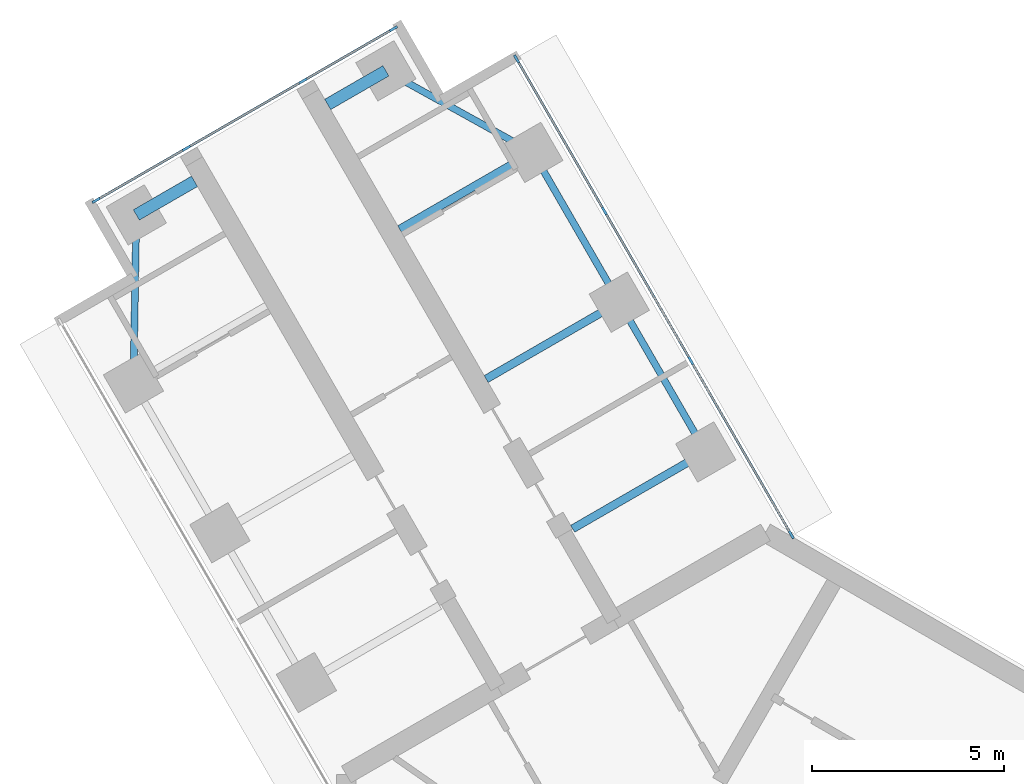
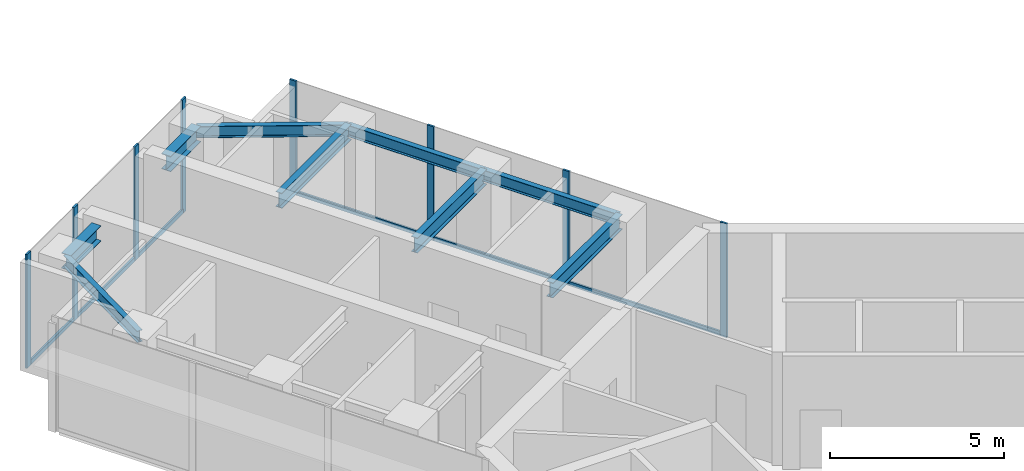
# One storey, part 6 of 17: 14 members, 9 beams, 2 elements without a shape of their own.
"""IFC4 building model written with IfcOpenShell, lengths in metres."""

from ifc_helpers import new_model, si_unit, direction, frame, origin, origin_2d, place, context, subcontext, project, spatial, rectangle, i_section, extrude, material, material_profile, profile_set, type_object, element, aggregate, save


model = new_model("IFC4")

# Units and contexts
model_context = context("Model", 3, precision=1e-05, world=origin(), true_north=direction((0.0, 1.0)))
body_context = subcontext(model_context, "Body", "Model", "MODEL_VIEW")
ifc_project = project(units=[si_unit("LENGTHUNIT", "METRE"), si_unit("AREAUNIT", "SQUARE_METRE"), si_unit("VOLUMEUNIT", "CUBIC_METRE"), si_unit("PLANEANGLEUNIT", "RADIAN"), si_unit("MASSUNIT", "GRAM", prefix="KILO")], contexts=[model_context])

# Site, building, storey
site_placement = place(None, origin())
site = spatial("IfcSite", under=ifc_project, at=site_placement, CompositionType="ELEMENT")
building_placement = place(site_placement, origin())
building = spatial("IfcBuilding", under=site, at=building_placement, Name="Upepo Twin Towers", CompositionType="ELEMENT")
storey_placement = place(building_placement, frame((0.0, 0.0, 214.5)))
storey = spatial("IfcBuildingStorey", under=building, at=storey_placement, Name="L52", CompositionType="ELEMENT", Elevation=214.5)

# Beams
ifc_material_1 = material(Name="Steel S355", Category="steel")
ifc_material_profile_1 = material_profile(ifc_material_1, i_section(OverallWidth=0.177978515625, OverallDepth=0.406494140625, WebThickness=0.0078125, FlangeThickness=0.0126953125, FilletRadius=0.01025390625, at=origin_2d()), Name="UB 406x178x60")
ifc_profile_set_1 = profile_set([ifc_material_profile_1], Name="Steel S355")
beam_type_1 = type_object("IfcBeamType", Name="Beam UB 406x178x60", PredefinedType="BEAM", material=ifc_profile_set_1)
beam_1_placement = place(storey_placement, frame((-16.446044921875, 16.485595703125, 3.5966796875), z_axis=(0.016803880528, 0.999858804832, 0.0), x_axis=(-0.999858804832, 0.016803880528, 0.0)))
element("IfcBeam", 1, at=beam_1_placement, inside=storey, type_object=beam_type_1, Name="T1 nose edge beam BL", PredefinedType="BEAM", context=body_context, shape_type="SweptSolid", body=[
    extrude(i_section(OverallWidth=0.177978515625, OverallDepth=0.406494140625, WebThickness=0.0078125, FlangeThickness=0.0126953125, FilletRadius=0.01025390625, at=origin_2d()), origin(), (0.0, 0.0, 1.0), 4.373291015625),
])
beam_2_placement = place(storey_placement, frame((-1.553955078125, 14.69140625, 3.5966796875), z_axis=(-0.500013631625, 0.866017533419, 0.0), x_axis=(-0.866017533419, -0.500013631625, 0.0)))
element("IfcBeam", 2, at=beam_2_placement, inside=storey, type_object=beam_type_1, Name="T1 edge beam BR 13.5-18.0", PredefinedType="BEAM", context=body_context, shape_type="SweptSolid", body=[
    extrude(i_section(OverallWidth=0.177978515625, OverallDepth=0.406494140625, WebThickness=0.0078125, FlangeThickness=0.0126953125, FilletRadius=0.01025390625, at=origin_2d()), origin(), (0.0, 0.0, 1.0), 4.499755859375),
])
beam_3_placement = place(storey_placement, frame((-3.803955078125, 18.58837890625, 3.5966796875), z_axis=(-0.499990139034, 0.866031096941, 0.0), x_axis=(-0.866031096941, -0.499990139034, 0.0)))
element("IfcBeam", 3, at=beam_3_placement, inside=storey, type_object=beam_type_1, Name="T1 edge beam BR 18.0-22.5", PredefinedType="BEAM", context=body_context, shape_type="SweptSolid", body=[
    extrude(i_section(OverallWidth=0.177978515625, OverallDepth=0.406494140625, WebThickness=0.0078125, FlangeThickness=0.0126953125, FilletRadius=0.01025390625, at=origin_2d()), origin(), (0.0, 0.0, 1.0), 4.5),
])
beam_4_placement = place(storey_placement, frame((-6.053955078125, 22.485595703125, 3.5966796875), z_axis=(-0.874312600038, 0.485363242752, 0.0), x_axis=(-0.485363242752, -0.874312600038, 0.0)))
element("IfcBeam", 4, at=beam_4_placement, inside=storey, type_object=beam_type_1, Name="T1 nose edge beam BR", PredefinedType="BEAM", context=body_context, shape_type="SweptSolid", body=[
    extrude(i_section(OverallWidth=0.177978515625, OverallDepth=0.406494140625, WebThickness=0.0078125, FlangeThickness=0.0126953125, FilletRadius=0.01025390625, at=origin_2d()), origin(), (0.0, 0.0, 1.0), 4.373046875),
])
ifc_material_2 = material(Name="Steel S355", Category="steel")
ifc_material_profile_2 = material_profile(ifc_material_2, i_section(OverallWidth=0.209228515625, OverallDepth=0.533203125, WebThickness=0.010009765625, FlangeThickness=0.015625, FilletRadius=0.0126953125, at=origin_2d()), Name="UB 533x210x92")
ifc_profile_set_2 = profile_set([ifc_material_profile_2], Name="Steel S355")
beam_type_2 = type_object("IfcBeamType", Name="Beam UB 533x210x92", PredefinedType="BEAM", material=ifc_profile_set_2)
for number, where, z_axis, x_axis, name in (
    (5, (-1.553955078125, 14.69140625, 3.533447265625), (-0.866026010844, -0.49999894854, 0.0), (0.49999894854, -0.866026010844, 0.0), "T1 girder BR at 13.5"),
    (6, (-3.803955078125, 18.58837890625, 3.533447265625), (-0.866026010844, -0.49999894854, 0.0), (0.49999894854, -0.866026010844, 0.0), "T1 girder BR at 18.0"),
    (7, (-6.053955078125, 22.485595703125, 3.533447265625), (-0.866026010844, -0.49999894854, 0.0), (0.49999894854, -0.866026010844, 0.0), "T1 girder BR at 22.5"),
):
    element("IfcBeam", number, at=place(storey_placement, frame(where, z_axis=z_axis, x_axis=x_axis)), inside=storey, type_object=beam_type_2, Name=name, PredefinedType="BEAM", context=body_context, shape_type="SweptSolid", body=[
        extrude(i_section(OverallWidth=0.209228515625, OverallDepth=0.533203125, WebThickness=0.010009765625, FlangeThickness=0.015625, FilletRadius=0.0126953125, at=origin_2d()), origin(), (0.0, 0.0, 1.0), 4.0),
    ])
ifc_material_3 = material(Name="Steel S355", Category="steel")
ifc_material_profile_3 = material_profile(ifc_material_3, i_section(OverallWidth=0.31201171875, OverallDepth=0.54345703125, WebThickness=0.0126953125, FlangeThickness=0.020263671875, FilletRadius=0.0126953125, at=origin_2d()), Name="UB 533x312x150")
ifc_profile_set_3 = profile_set([ifc_material_profile_3], Name="Steel S355")
beam_type_3 = type_object("IfcBeamType", Name="Beam UB 533x312x150", PredefinedType="BEAM", material=ifc_profile_set_3)
for number, where, z_axis, x_axis, name in (
    (8, (-16.37255859375, 20.858154296875, 3.5283203125), (0.866036909293, 0.499980071345, 0.0), (-0.499980071345, 0.866036909293, 0.0), "T1 nose beam BL"),
    (9, (-9.87744140625, 24.608154296875, 3.5283203125), (-0.866036909293, -0.499980071345, 0.0), (0.499980071345, -0.866036909293, 0.0), "T1 nose beam BR"),
):
    element("IfcBeam", number, at=place(storey_placement, frame(where, z_axis=z_axis, x_axis=x_axis)), inside=storey, type_object=beam_type_3, Name=name, PredefinedType="BEAM", context=body_context, shape_type="SweptSolid", body=[
        extrude(i_section(OverallWidth=0.31201171875, OverallDepth=0.54345703125, WebThickness=0.0126953125, FlangeThickness=0.020263671875, FilletRadius=0.0126953125, at=origin_2d()), origin(), (0.0, 0.0, 1.0), 1.75),
    ])

# Curtain wall, members
ifc_material_4 = material(Name="Aluminium and fritted glass", Category="aluminium")
curtain_wall_type = type_object("IfcCurtainWallType", Name="Tower curtain wall TW3, fritted glass", PredefinedType="NOTDEFINED", material=ifc_material_4)
curtain_wall_1_placement = place(storey_placement, origin())
curtain_wall_1 = element("IfcCurtainWall", 10, at=curtain_wall_1_placement, inside=storey, type_object=curtain_wall_type, Name="T1 L52 wing B flank R curtain wall", PredefinedType="NOTDEFINED")
ifc_material_5 = material(Name="Aluminium mullion", Category="aluminium")
ifc_material_profile_4 = material_profile(ifc_material_5, rectangle(XDim=0.06494140625, YDim=0.22509765625, at=origin_2d()), Name="MULLION 65x225")
ifc_profile_set_4 = profile_set([ifc_material_profile_4], Name="Aluminium mullion")
member_type_1 = type_object("IfcMemberType", Name="Mullion 65x225 TW3", PredefinedType="MULLION", material=ifc_profile_set_4)
member_1_placement = place(storey_placement, frame((-6.4765625, 24.91748046875, 0.0), z_axis=(0.0, 0.0, 1.0), x_axis=(0.866025388469, 0.500000026527, 0.0)))
member_1 = element("IfcMember", 11, at=member_1_placement, type_object=member_type_1, Name="T1 L52 wing B flank R curtain wall mullion 1", PredefinedType="MULLION", context=body_context, shape_type="SweptSolid", body=[
    extrude(rectangle(XDim=0.06494140625, YDim=0.22509765625, at=origin_2d()), origin(), (0.0, 0.0, 1.0), 4.0),
])
member_2_placement = place(storey_placement, frame((-4.192626953125, 20.9619140625, 0.0), z_axis=(0.0, 0.0, 1.0), x_axis=(0.866025388469, 0.500000026527, 0.0)))
member_2 = element("IfcMember", 12, at=member_2_placement, type_object=member_type_1, Name="T1 L52 wing B flank R curtain wall mullion 2", PredefinedType="MULLION", context=body_context, shape_type="SweptSolid", body=[
    extrude(rectangle(XDim=0.06494140625, YDim=0.22509765625, at=origin_2d()), origin(), (0.0, 0.0, 1.0), 4.0),
])
member_3_placement = place(storey_placement, frame((-1.942626953125, 17.06494140625, 0.0), z_axis=(0.0, 0.0, 1.0), x_axis=(0.866025388469, 0.500000026527, 0.0)))
member_3 = element("IfcMember", 13, at=member_3_placement, type_object=member_type_1, Name="T1 L52 wing B flank R curtain wall mullion 3", PredefinedType="MULLION", context=body_context, shape_type="SweptSolid", body=[
    extrude(rectangle(XDim=0.06494140625, YDim=0.22509765625, at=origin_2d()), origin(), (0.0, 0.0, 1.0), 4.0),
])
member_4_placement = place(storey_placement, frame((0.67236328125, 12.53515625, 0.0), z_axis=(0.0, 0.0, 1.0), x_axis=(0.866025388469, 0.500000026527, 0.0)))
member_4 = element("IfcMember", 14, at=member_4_placement, type_object=member_type_1, Name="T1 L52 wing B flank R curtain wall mullion 4", PredefinedType="MULLION", context=body_context, shape_type="SweptSolid", body=[
    extrude(rectangle(XDim=0.06494140625, YDim=0.22509765625, at=origin_2d()), origin(), (0.0, 0.0, 1.0), 4.0),
])

curtain_wall_2_placement = place(storey_placement, origin())
curtain_wall_2 = element("IfcCurtainWall", 15, at=curtain_wall_2_placement, inside=storey, type_object=curtain_wall_type, Name="T1 L52 wing B nose curtain wall", PredefinedType="NOTDEFINED")
member_5_placement = place(storey_placement, frame((-9.68115234375, 25.703125, 0.0), z_axis=(0.0, 0.0, 1.0), x_axis=(0.500000030502, -0.866025386174, 0.0)))
member_5 = element("IfcMember", 16, at=member_5_placement, type_object=member_type_1, Name="T1 L52 wing B nose curtain wall mullion 1", PredefinedType="MULLION", context=body_context, shape_type="SweptSolid", body=[
    extrude(rectangle(XDim=0.06494140625, YDim=0.22509765625, at=origin_2d()), origin(), (0.0, 0.0, 1.0), 4.0),
])
member_6_placement = place(storey_placement, frame((-12.034423828125, 24.34423828125, 0.0), z_axis=(0.0, 0.0, 1.0), x_axis=(0.500000030502, -0.866025386174, 0.0)))
member_6 = element("IfcMember", 17, at=member_6_placement, type_object=member_type_1, Name="T1 L52 wing B nose curtain wall mullion 2", PredefinedType="MULLION", context=body_context, shape_type="SweptSolid", body=[
    extrude(rectangle(XDim=0.06494140625, YDim=0.22509765625, at=origin_2d()), origin(), (0.0, 0.0, 1.0), 4.0),
])
member_7_placement = place(storey_placement, frame((-15.0654296875, 22.59423828125, 0.0), z_axis=(0.0, 0.0, 1.0), x_axis=(0.500000030502, -0.866025386174, 0.0)))
member_7 = element("IfcMember", 18, at=member_7_placement, type_object=member_type_1, Name="T1 L52 wing B nose curtain wall mullion 3", PredefinedType="MULLION", context=body_context, shape_type="SweptSolid", body=[
    extrude(rectangle(XDim=0.06494140625, YDim=0.22509765625, at=origin_2d()), origin(), (0.0, 0.0, 1.0), 4.0),
])
member_8_placement = place(storey_placement, frame((-17.4189453125, 21.235595703125, 0.0), z_axis=(0.0, 0.0, 1.0), x_axis=(0.500000030502, -0.866025386174, 0.0)))
member_8 = element("IfcMember", 19, at=member_8_placement, type_object=member_type_1, Name="T1 L52 wing B nose curtain wall mullion 4", PredefinedType="MULLION", context=body_context, shape_type="SweptSolid", body=[
    extrude(rectangle(XDim=0.06494140625, YDim=0.22509765625, at=origin_2d()), origin(), (0.0, 0.0, 1.0), 4.0),
])

# Member
ifc_material_6 = material(Name="Aluminium transom", Category="aluminium")
ifc_material_profile_5 = material_profile(ifc_material_6, rectangle(XDim=0.06494140625, YDim=0.14990234375, at=origin_2d()), Name="TRANSOM 65x150")
ifc_profile_set_5 = profile_set([ifc_material_profile_5], Name="Aluminium transom")
member_type_2 = type_object("IfcMemberType", Name="Transom 65x150 TW3", PredefinedType="USERDEFINED", material=ifc_profile_set_5)
member_9_placement = place(storey_placement, frame((-6.460205078125, 24.889404296875, 0.074951171875), z_axis=(0.500005646842, -0.866022143554, 0.0), x_axis=(0.866022143554, 0.500005646842, 0.0)))
member_9 = element("IfcMember", 20, at=member_9_placement, type_object=member_type_2, Name="T1 L52 wing B flank R curtain wall transom 1", ObjectType="TRANSOM", PredefinedType="USERDEFINED", context=body_context, shape_type="SweptSolid", body=[
    extrude(rectangle(XDim=0.06494140625, YDim=0.14990234375, at=origin_2d()), origin(), (0.0, 0.0, 1.0), 4.50244140625),
])

member_10_placement = place(storey_placement, frame((-4.176513671875, 20.933837890625, 0.074951171875), z_axis=(0.500005184116, -0.866022410713, 0.0), x_axis=(0.866022410713, 0.500005184116, 0.0)))
member_10 = element("IfcMember", 21, at=member_10_placement, type_object=member_type_2, Name="T1 L52 wing B flank R curtain wall transom 2", ObjectType="TRANSOM", PredefinedType="USERDEFINED", context=body_context, shape_type="SweptSolid", body=[
    extrude(rectangle(XDim=0.06494140625, YDim=0.14990234375, at=origin_2d()), origin(), (0.0, 0.0, 1.0), 4.43505859375),
])

member_11_placement = place(storey_placement, frame((-1.926513671875, 17.036865234375, 0.074951171875), z_axis=(0.500007480159, -0.86602108507, 0.0), x_axis=(0.86602108507, 0.500007480159, 0.0)))
member_11 = element("IfcMember", 22, at=member_11_placement, type_object=member_type_2, Name="T1 L52 wing B flank R curtain wall transom 3", ObjectType="TRANSOM", PredefinedType="USERDEFINED", context=body_context, shape_type="SweptSolid", body=[
    extrude(rectangle(XDim=0.06494140625, YDim=0.14990234375, at=origin_2d()), origin(), (0.0, 0.0, 1.0), 5.16552734375),
])

aggregate(curtain_wall_1, [member_1, member_2, member_3, member_4, member_9, member_10, member_11])

member_12_placement = place(storey_placement, frame((-9.709228515625, 25.686767578125, 0.074951171875), z_axis=(-0.866036909293, -0.499980071345, 0.0), x_axis=(0.499980071345, -0.866036909293, 0.0)))
member_12 = element("IfcMember", 23, at=member_12_placement, type_object=member_type_2, Name="T1 L52 wing B nose curtain wall transom 1", ObjectType="TRANSOM", PredefinedType="USERDEFINED", context=body_context, shape_type="SweptSolid", body=[
    extrude(rectangle(XDim=0.06494140625, YDim=0.14990234375, at=origin_2d()), origin(), (0.0, 0.0, 1.0), 2.65234375),
])

member_13_placement = place(storey_placement, frame((-12.0625, 24.328125, 0.074951171875), z_axis=(-0.866025804792, -0.499999305434, 0.0), x_axis=(0.499999305434, -0.866025804792, 0.0)))
member_13 = element("IfcMember", 24, at=member_13_placement, type_object=member_type_2, Name="T1 L52 wing B nose curtain wall transom 2", ObjectType="TRANSOM", PredefinedType="USERDEFINED", context=body_context, shape_type="SweptSolid", body=[
    extrude(rectangle(XDim=0.06494140625, YDim=0.14990234375, at=origin_2d()), origin(), (0.0, 0.0, 1.0), 3.43505859375),
])

member_14_placement = place(storey_placement, frame((-15.09375, 22.578125, 0.074951171875), z_axis=(-0.865997053448, -0.500049101008, 0.0), x_axis=(0.500049101008, -0.865997053448, 0.0)))
member_14 = element("IfcMember", 25, at=member_14_placement, type_object=member_type_2, Name="T1 L52 wing B nose curtain wall transom 3", ObjectType="TRANSOM", PredefinedType="USERDEFINED", context=body_context, shape_type="SweptSolid", body=[
    extrude(rectangle(XDim=0.06494140625, YDim=0.14990234375, at=origin_2d()), origin(), (0.0, 0.0, 1.0), 2.652587890625),
])

aggregate(curtain_wall_2, [member_5, member_6, member_7, member_8, member_12, member_13, member_14])

save(model, "model.ifc")
